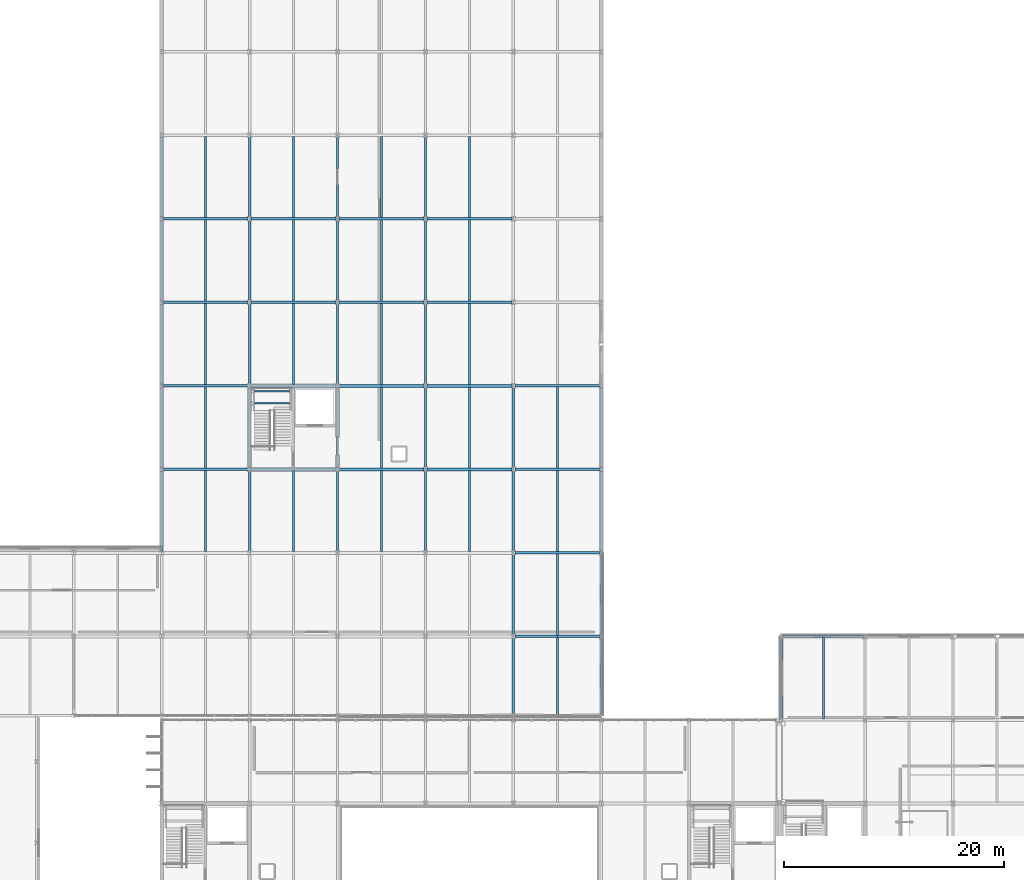
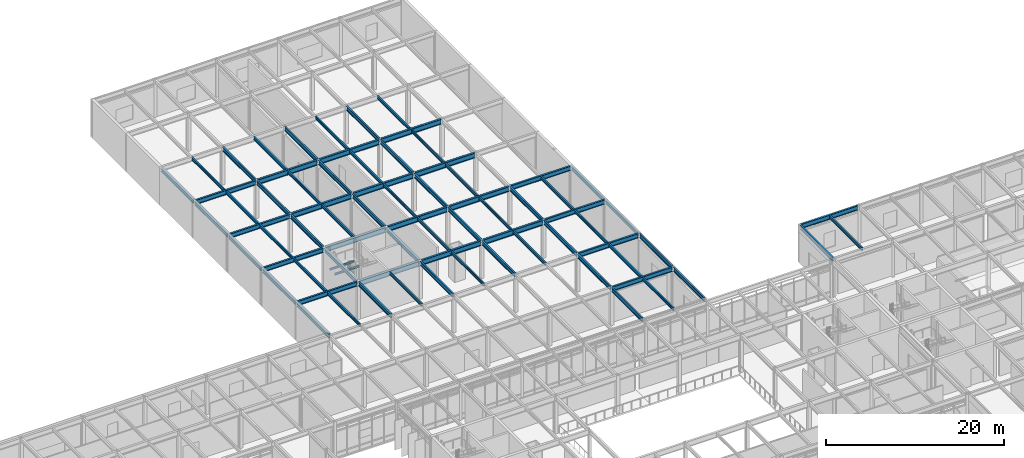
# One storey, part 49 of 94: 76 beams.
"""IFC4 building model written with IfcOpenShell, lengths in metres."""

import ifcopenshell
import ifcopenshell.guid

model = None  # the IFC model being written
_history = None  # IfcOwnerHistory: only IFC2X3 demands one
_inside = {}  # id of a spatial element -> (the spatial element, [elements in it])
_under = {}  # id of a project, library or spatial element -> (it, [spatial elements below it])
_declared = {}  # id of a project -> (the project, [libraries it declares])
_typed = {}  # id of a type object -> (the type object, [elements of that type])
_made_of = {}  # id of a material, layer set ... -> (it, [elements and type objects made of it])


def new_model(schema):
    """Start an empty IFC model of exactly this schema.

    Asked for "IFC4X3", IfcOpenShell would pick the latest addendum, in which some entities
    have other attributes; the version numbers below select the first issue.
    IFC2X3 requires an IfcOwnerHistory on every rooted entity: one is made here for all.
    """
    global model, _history
    if schema == "IFC4X3":
        model = ifcopenshell.file(schema_version=(4, 3, 0, 0))
    else:
        model = ifcopenshell.file(schema=schema)
    _inside.clear()
    _under.clear()
    _declared.clear()
    _typed.clear()
    _made_of.clear()
    _history = None
    if model.schema == "IFC2X3":
        org = make("IfcOrganization", Name="unknown")
        user = make(
            "IfcPersonAndOrganization",
            ThePerson=make("IfcPerson", FamilyName="unknown"),
            TheOrganization=org,
        )
        app = make(
            "IfcApplication",
            ApplicationDeveloper=org,
            Version="unknown",
            ApplicationFullName="unknown",
            ApplicationIdentifier="unknown",
        )
        _history = make(
            "IfcOwnerHistory",
            OwningUser=user,
            OwningApplication=app,
            ChangeAction="ADDED",
            CreationDate=0,
        )
    return model


def make(cls, **values):
    """One entity of the class cls with the attributes given. An attribute that is None is left unset."""
    return model.create_entity(
        cls, **{name: value for name, value in values.items() if value is not None}
    )


def rooted(cls, **values):
    """An entity with a GlobalId (a new one), such as an element, a storey or a relation."""
    return make(cls, GlobalId=ifcopenshell.guid.new(), OwnerHistory=_history, **values)


def si_unit(unit_type, name, prefix=None):
    """IfcSIUnit, for example si_unit("LENGTHUNIT", "METRE", prefix="MILLI")."""
    return make("IfcSIUnit", UnitType=unit_type, Prefix=prefix, Name=name)


def assignment(units):
    """IfcUnitAssignment: the units of a project."""
    return None if units is None else make("IfcUnitAssignment", Units=units)


def point(xyz):
    """IfcCartesianPoint."""
    return None if xyz is None else make("IfcCartesianPoint", Coordinates=xyz)


def direction(xyz):
    """IfcDirection."""
    return None if xyz is None else make("IfcDirection", DirectionRatios=xyz)


def frame(location, z_axis=None, x_axis=None):
    """IfcAxis2Placement3D, a coordinate frame: its origin and axes. An axis left out is left unset."""
    return make(
        "IfcAxis2Placement3D",
        Location=point(location),
        Axis=direction(z_axis),
        RefDirection=direction(x_axis),
    )


def frame_2d(location, x_axis=None):
    """IfcAxis2Placement2D, a coordinate frame in the plane: its origin and x axis."""
    return make(
        "IfcAxis2Placement2D", Location=point(location), RefDirection=direction(x_axis)
    )


def origin():
    """The frame at (0, 0, 0) with its axes left unset."""
    return frame((0.0, 0.0, 0.0))


def origin_2d():
    """The frame at (0, 0) in the plane with its x axis left unset."""
    return frame_2d((0.0, 0.0))


def place(relative_to, where):
    """IfcLocalPlacement: puts the frame where relative to a parent placement (None: the world)."""
    return make(
        "IfcLocalPlacement", PlacementRelTo=relative_to, RelativePlacement=where
    )


def context(
    kind, dimensions, precision=None, world=None, true_north=None, identifier=None
):
    """IfcGeometricRepresentationContext, for example the 3D "Model" context."""
    return make(
        "IfcGeometricRepresentationContext",
        ContextIdentifier=identifier,
        ContextType=kind,
        CoordinateSpaceDimension=dimensions,
        Precision=precision,
        WorldCoordinateSystem=world,
        TrueNorth=true_north,
    )


def subcontext(parent, identifier, kind, view, scale=None):
    """IfcGeometricRepresentationSubContext, for example "Body" below "Model"."""
    return make(
        "IfcGeometricRepresentationSubContext",
        ContextIdentifier=identifier,
        ContextType=kind,
        ParentContext=parent,
        TargetScale=scale,
        TargetView=view,
    )


def project(units=None, contexts=None):
    """IfcProject with its units and contexts."""
    return rooted(
        "IfcProject",
        Name="project",
        RepresentationContexts=contexts,
        UnitsInContext=assignment(units),
    )


def spatial(cls, under=None, at=None, **own):
    """A site, building, storey or space (cls), placed at a placement, below another one or the project."""
    s = rooted(cls, ObjectPlacement=at, **own)
    if under is not None:
        _under.setdefault(under.id(), (under, []))[1].append(s)
    return s


def profile(cls, at=None, kind="AREA", **sizes):
    """A parametric profile (cls). Its sizes go by their IFC names, for example OverallWidth=200.0."""
    return make(cls, ProfileType=kind, Position=at, **sizes)


def i_section(**sizes):
    """IfcIShapeProfileDef."""
    return profile("IfcIShapeProfileDef", **sizes)


def extrude(swept, where, along, depth):
    """IfcExtrudedAreaSolid: the profile swept, set in the frame where, extruded along a direction by depth."""
    return make(
        "IfcExtrudedAreaSolid",
        SweptArea=swept,
        Position=where,
        ExtrudedDirection=direction(along),
        Depth=depth,
    )


def shape(context_of_items, identifier, shape_type, items):
    """IfcShapeRepresentation: the items that make up one representation, for example the "Body"."""
    return make(
        "IfcShapeRepresentation",
        ContextOfItems=context_of_items,
        RepresentationIdentifier=identifier,
        RepresentationType=shape_type,
        Items=items,
    )


def material(Name=None, Category=None):
    """IfcMaterial."""
    return make("IfcMaterial", Name=Name, Category=Category)


def material_profile(
    of_material, cross_section, Name=None, Category=None, Priority=None
):
    """IfcMaterialProfile: a cross section and its material."""
    return make(
        "IfcMaterialProfile",
        Name=Name,
        Material=of_material,
        Profile=cross_section,
        Priority=Priority,
        Category=Category,
    )


def profile_set(profiles, Name=None, composite=None):
    """IfcMaterialProfileSet."""
    return make(
        "IfcMaterialProfileSet",
        Name=Name,
        MaterialProfiles=profiles,
        CompositeProfile=composite,
    )


def made_of(thing, what):
    """Note that an element or type object is made of a material, layer set ...; save() writes the relation."""
    if what is not None:
        _made_of.setdefault(what.id(), (what, []))[1].append(thing)
    return thing


def type_object(cls, material=None, **own):
    """A type object (cls), such as IfcWallType, which elements share."""
    return made_of(rooted(cls, **own), material)


def element(
    cls,
    number,
    at=None,
    inside=None,
    cuts=None,
    type_object=None,
    material=None,
    context=None,
    identifier="Body",
    shape_type=None,
    held_by="IfcProductDefinitionShape",
    body=None,
    shapes=None,
    **own,
):
    """One element of the class cls, such as IfcWall. Its Tag is "e" and its number.

    at: its placement. inside: the storey or other place that contains it. cuts: it is an
    opening in that element (IfcRelVoidsElement). A single representation is given by context,
    identifier, shape_type and body (its items); several are given by shapes. held_by: the class
    of the entity that holds the representations. save() writes the other relations.
    """
    e = rooted(cls, Tag="e%d" % number, ObjectPlacement=at, **own)
    if body is not None:
        shapes = [shape(context, identifier, shape_type, body)]
    if shapes is not None:
        e.Representation = make(held_by, Representations=shapes)
    if inside is not None:
        _inside.setdefault(inside.id(), (inside, []))[1].append(e)
    if cuts is not None:
        rooted(
            "IfcRelVoidsElement", RelatingBuildingElement=cuts, RelatedOpeningElement=e
        )
    if type_object is not None:
        _typed.setdefault(type_object.id(), (type_object, []))[1].append(e)
    return made_of(e, material)


def aggregate(whole, parts):
    """IfcRelAggregates: a whole, such as a stair, and the parts it consists of."""
    return rooted("IfcRelAggregates", RelatingObject=whole, RelatedObjects=parts)


def save(model, path):
    """Write the relations noted so far, then the file.

    IfcRelAggregates (storeys below a building ...), IfcRelContainedInSpatialStructure (elements
    in a storey), IfcRelDefinesByType, IfcRelAssociatesMaterial and IfcRelDeclares: one each for
    every whole, place, type object, material and project.
    """
    for whole, parts in _under.values():
        aggregate(whole, parts)
    for where, things in _inside.values():
        rooted(
            "IfcRelContainedInSpatialStructure",
            RelatedElements=things,
            RelatingStructure=where,
        )
    for kind, things in _typed.values():
        rooted("IfcRelDefinesByType", RelatedObjects=things, RelatingType=kind)
    for what, things in _made_of.values():
        rooted("IfcRelAssociatesMaterial", RelatedObjects=things, RelatingMaterial=what)
    for by, libraries in _declared.values():
        rooted("IfcRelDeclares", RelatingContext=by, RelatedDefinitions=libraries)
    model.write(path)


model = new_model("IFC4")

# Units and contexts
model_context = context("Model", 3, precision=1e-05, world=origin(), true_north=direction((0.0, 1.0)))
body_context = subcontext(model_context, "Body", "Model", "MODEL_VIEW")
ifc_project = project(units=[si_unit("LENGTHUNIT", "METRE"), si_unit("AREAUNIT", "SQUARE_METRE"), si_unit("VOLUMEUNIT", "CUBIC_METRE"), si_unit("PLANEANGLEUNIT", "RADIAN"), si_unit("MASSUNIT", "GRAM", prefix="KILO")], contexts=[model_context])

# Site, building, storey
site_placement = place(None, origin())
site = spatial("IfcSite", under=ifc_project, at=site_placement, CompositionType="ELEMENT")
building_placement = place(site_placement, origin())
building = spatial("IfcBuilding", under=site, at=building_placement, Name="Zulena Civic Courthouse", CompositionType="ELEMENT")
storey_placement = place(building_placement, frame((0.0, 0.0, 5.39990234375)))
storey = spatial("IfcBuildingStorey", under=building, at=storey_placement, Name="L01", CompositionType="ELEMENT", Elevation=5.39990234375)

# Beams
ifc_material = material(Name="Steel ASTM A992 Grade 50", Category="steel")
ifc_material_profile_1 = material_profile(ifc_material, i_section(OverallWidth=0.214111328125, OverallDepth=0.549072265625, WebThickness=0.0146484375, FlangeThickness=0.023681640625, FilletRadius=0.0126953125, at=origin_2d()), Name="W21X93")
ifc_profile_set_1 = profile_set([ifc_material_profile_1], Name="Steel ASTM A992 Grade 50")
beam_type_1 = type_object("IfcBeamType", Name="Girder_W21X93", PredefinedType="BEAM", material=ifc_profile_set_1)
beam_1_placement = place(storey_placement, frame((76.0, 60.945068359375, 4.91064453125), z_axis=(0.0, 1.0, 0.0), x_axis=(-1.0, 0.0, 0.0)))
element("IfcBeam", 1, at=beam_1_placement, inside=storey, type_object=beam_type_1, Name="beam:Y:V5:L01:76.0:60.8_68.4", PredefinedType="BEAM", context=body_context, shape_type="SweptSolid", body=[
    extrude(i_section(OverallWidth=0.214111328125, OverallDepth=0.549072265625, WebThickness=0.0146484375, FlangeThickness=0.023681640625, FilletRadius=0.0126953125, at=origin_2d()), origin(), (0.0, 0.0, 1.0), 7.309814453125),
])
for number, where, z_axis, x_axis, name in (
    (2, (76.0, 68.544921875, 4.91064453125), (0.0, 1.0, 0.0), (-1.0, 0.0, 0.0), "beam:Y:V5:L01:76.0:68.4_76.0"),
    (3, (76.0, 76.14501953125, 4.91064453125), (0.0, 1.0, 0.0), (-1.0, 0.0, 0.0), "beam:Y:V5:L01:76.0:76.0_83.6"),
):
    element("IfcBeam", number, at=place(storey_placement, frame(where, z_axis=z_axis, x_axis=x_axis)), inside=storey, type_object=beam_type_1, Name=name, PredefinedType="BEAM", context=body_context, shape_type="SweptSolid", body=[
        extrude(i_section(OverallWidth=0.214111328125, OverallDepth=0.549072265625, WebThickness=0.0146484375, FlangeThickness=0.023681640625, FilletRadius=0.0126953125, at=origin_2d()), origin(), (0.0, 0.0, 1.0), 7.31005859375),
    ])
beam_2_placement = place(storey_placement, frame((76.0, 83.7451171875, 4.91064453125), z_axis=(0.0, 1.0, 0.0), x_axis=(-1.0, 0.0, 0.0)))
element("IfcBeam", 4, at=beam_2_placement, inside=storey, type_object=beam_type_1, Name="beam:Y:V5:L01:76.0:83.6_91.2", PredefinedType="BEAM", context=body_context, shape_type="SweptSolid", body=[
    extrude(i_section(OverallWidth=0.214111328125, OverallDepth=0.549072265625, WebThickness=0.0146484375, FlangeThickness=0.023681640625, FilletRadius=0.0126953125, at=origin_2d()), origin(), (0.0, 0.0, 1.0), 7.309814453125),
])
beam_3_placement = place(storey_placement, frame((76.0, 91.344970703125, 4.91064453125), z_axis=(0.0, 1.0, 0.0), x_axis=(-1.0, 0.0, 0.0)))
element("IfcBeam", 5, at=beam_3_placement, inside=storey, type_object=beam_type_1, Name="beam:Y:V5:L01:76.0:91.2_98.8", PredefinedType="BEAM", context=body_context, shape_type="SweptSolid", body=[
    extrude(i_section(OverallWidth=0.214111328125, OverallDepth=0.549072265625, WebThickness=0.0146484375, FlangeThickness=0.023681640625, FilletRadius=0.0126953125, at=origin_2d()), origin(), (0.0, 0.0, 1.0), 7.31005859375),
])
beam_4_placement = place(storey_placement, frame((84.0, 60.945068359375, 4.91064453125), z_axis=(0.0, 1.0, 0.0), x_axis=(-1.0, 0.0, 0.0)))
element("IfcBeam", 6, at=beam_4_placement, inside=storey, type_object=beam_type_1, Name="beam:Y:V5:L01:84.0:60.8_68.4", PredefinedType="BEAM", context=body_context, shape_type="SweptSolid", body=[
    extrude(i_section(OverallWidth=0.214111328125, OverallDepth=0.549072265625, WebThickness=0.0146484375, FlangeThickness=0.023681640625, FilletRadius=0.0126953125, at=origin_2d()), origin(), (0.0, 0.0, 1.0), 7.309814453125),
])
for number, where, z_axis, x_axis, name in (
    (7, (84.0, 68.544921875, 4.91064453125), (0.0, 1.0, 0.0), (-1.0, 0.0, 0.0), "beam:Y:V5:L01:84.0:68.4_76.0"),
    (8, (84.0, 76.14501953125, 4.91064453125), (0.0, 1.0, 0.0), (-1.0, 0.0, 0.0), "beam:Y:V5:L01:84.0:76.0_83.6"),
):
    element("IfcBeam", number, at=place(storey_placement, frame(where, z_axis=z_axis, x_axis=x_axis)), inside=storey, type_object=beam_type_1, Name=name, PredefinedType="BEAM", context=body_context, shape_type="SweptSolid", body=[
        extrude(i_section(OverallWidth=0.214111328125, OverallDepth=0.549072265625, WebThickness=0.0146484375, FlangeThickness=0.023681640625, FilletRadius=0.0126953125, at=origin_2d()), origin(), (0.0, 0.0, 1.0), 7.31005859375),
    ])
beam_5_placement = place(storey_placement, frame((84.0, 83.7451171875, 4.91064453125), z_axis=(0.0, 1.0, 0.0), x_axis=(-1.0, 0.0, 0.0)))
element("IfcBeam", 9, at=beam_5_placement, inside=storey, type_object=beam_type_1, Name="beam:Y:V5:L01:84.0:83.6_91.2", PredefinedType="BEAM", context=body_context, shape_type="SweptSolid", body=[
    extrude(i_section(OverallWidth=0.214111328125, OverallDepth=0.549072265625, WebThickness=0.0146484375, FlangeThickness=0.023681640625, FilletRadius=0.0126953125, at=origin_2d()), origin(), (0.0, 0.0, 1.0), 7.309814453125),
])
beam_6_placement = place(storey_placement, frame((84.0, 91.344970703125, 4.91064453125), z_axis=(0.0, 1.0, 0.0), x_axis=(-1.0, 0.0, 0.0)))
element("IfcBeam", 10, at=beam_6_placement, inside=storey, type_object=beam_type_1, Name="beam:Y:V5:L01:84.0:91.2_98.8", PredefinedType="BEAM", context=body_context, shape_type="SweptSolid", body=[
    extrude(i_section(OverallWidth=0.214111328125, OverallDepth=0.549072265625, WebThickness=0.0146484375, FlangeThickness=0.023681640625, FilletRadius=0.0126953125, at=origin_2d()), origin(), (0.0, 0.0, 1.0), 7.31005859375),
])
beam_7_placement = place(storey_placement, frame((92.0, 60.945068359375, 4.91064453125), z_axis=(0.0, 1.0, 0.0), x_axis=(-1.0, 0.0, 0.0)))
element("IfcBeam", 11, at=beam_7_placement, inside=storey, type_object=beam_type_1, Name="beam:Y:V5:L01:92.0:60.8_68.4", PredefinedType="BEAM", context=body_context, shape_type="SweptSolid", body=[
    extrude(i_section(OverallWidth=0.214111328125, OverallDepth=0.549072265625, WebThickness=0.0146484375, FlangeThickness=0.023681640625, FilletRadius=0.0126953125, at=origin_2d()), origin(), (0.0, 0.0, 1.0), 7.309814453125),
])
for number, where, z_axis, x_axis, name in (
    (12, (92.0, 68.544921875, 4.91064453125), (0.0, 1.0, 0.0), (-1.0, 0.0, 0.0), "beam:Y:V5:L01:92.0:68.4_76.0"),
    (13, (92.0, 76.14501953125, 4.91064453125), (0.0, 1.0, 0.0), (-1.0, 0.0, 0.0), "beam:Y:V5:L01:92.0:76.0_83.6"),
):
    element("IfcBeam", number, at=place(storey_placement, frame(where, z_axis=z_axis, x_axis=x_axis)), inside=storey, type_object=beam_type_1, Name=name, PredefinedType="BEAM", context=body_context, shape_type="SweptSolid", body=[
        extrude(i_section(OverallWidth=0.214111328125, OverallDepth=0.549072265625, WebThickness=0.0146484375, FlangeThickness=0.023681640625, FilletRadius=0.0126953125, at=origin_2d()), origin(), (0.0, 0.0, 1.0), 7.31005859375),
    ])
beam_8_placement = place(storey_placement, frame((92.0, 83.7451171875, 4.91064453125), z_axis=(0.0, 1.0, 0.0), x_axis=(-1.0, 0.0, 0.0)))
element("IfcBeam", 14, at=beam_8_placement, inside=storey, type_object=beam_type_1, Name="beam:Y:V5:L01:92.0:83.6_91.2", PredefinedType="BEAM", context=body_context, shape_type="SweptSolid", body=[
    extrude(i_section(OverallWidth=0.214111328125, OverallDepth=0.549072265625, WebThickness=0.0146484375, FlangeThickness=0.023681640625, FilletRadius=0.0126953125, at=origin_2d()), origin(), (0.0, 0.0, 1.0), 7.309814453125),
])
for number, where, z_axis, x_axis, name in (
    (15, (92.0, 91.344970703125, 4.91064453125), (0.0, 1.0, 0.0), (-1.0, 0.0, 0.0), "beam:Y:V5:L01:92.0:91.2_98.8"),
    (16, (100.0, 53.344970703125, 4.91064453125), (0.0, 1.0, 0.0), (-1.0, 0.0, 0.0), "beam:Y:V5:L01:100.0:53.2_60.8"),
):
    element("IfcBeam", number, at=place(storey_placement, frame(where, z_axis=z_axis, x_axis=x_axis)), inside=storey, type_object=beam_type_1, Name=name, PredefinedType="BEAM", context=body_context, shape_type="SweptSolid", body=[
        extrude(i_section(OverallWidth=0.214111328125, OverallDepth=0.549072265625, WebThickness=0.0146484375, FlangeThickness=0.023681640625, FilletRadius=0.0126953125, at=origin_2d()), origin(), (0.0, 0.0, 1.0), 7.31005859375),
    ])
beam_9_placement = place(storey_placement, frame((100.0, 60.945068359375, 4.91064453125), z_axis=(0.0, 1.0, 0.0), x_axis=(-1.0, 0.0, 0.0)))
element("IfcBeam", 17, at=beam_9_placement, inside=storey, type_object=beam_type_1, Name="beam:Y:V5:L01:100.0:60.8_68.4", PredefinedType="BEAM", context=body_context, shape_type="SweptSolid", body=[
    extrude(i_section(OverallWidth=0.214111328125, OverallDepth=0.549072265625, WebThickness=0.0146484375, FlangeThickness=0.023681640625, FilletRadius=0.0126953125, at=origin_2d()), origin(), (0.0, 0.0, 1.0), 7.309814453125),
])
beam_10_placement = place(storey_placement, frame((100.0, 68.544921875, 4.91064453125), z_axis=(0.0, 1.0, 0.0), x_axis=(-1.0, 0.0, 0.0)))
element("IfcBeam", 18, at=beam_10_placement, inside=storey, type_object=beam_type_1, Name="beam:Y:V5:L01:100.0:68.4_76.0", PredefinedType="BEAM", context=body_context, shape_type="SweptSolid", body=[
    extrude(i_section(OverallWidth=0.214111328125, OverallDepth=0.549072265625, WebThickness=0.0146484375, FlangeThickness=0.023681640625, FilletRadius=0.0126953125, at=origin_2d()), origin(), (0.0, 0.0, 1.0), 7.31005859375),
])
ifc_material_profile_2 = material_profile(ifc_material, i_section(OverallWidth=0.25390625, OverallDepth=0.701904296875, WebThickness=0.015380859375, FlangeThickness=0.02783203125, FilletRadius=0.0166015625, at=origin_2d()), Name="W27X129")
ifc_profile_set_2 = profile_set([ifc_material_profile_2], Name="Steel ASTM A992 Grade 50")
beam_type_2 = type_object("IfcBeamType", Name="Girder_W27X129", PredefinedType="BEAM", material=ifc_profile_set_2)
for number, where, z_axis, x_axis, name in (
    (19, (76.14501953125, 68.39990234375, 4.833984375), (1.0, 0.0, 0.0), (0.0, 1.0, 0.0), "beam:X:V5:L01:68.4:76.0_84.0"),
    (20, (84.14501953125, 68.39990234375, 4.833984375), (1.0, 0.0, 0.0), (0.0, 1.0, 0.0), "beam:X:V5:L01:68.4:84.0_92.0"),
    (21, (92.14501953125, 68.39990234375, 4.833984375), (1.0, 0.0, 0.0), (0.0, 1.0, 0.0), "beam:X:V5:L01:68.4:92.0_100.0"),
    (22, (76.14501953125, 76.0, 4.833984375), (1.0, 0.0, 0.0), (0.0, 1.0, 0.0), "beam:X:V5:L01:76.0:76.0_84.0"),
    (23, (84.14501953125, 76.0, 4.833984375), (1.0, 0.0, 0.0), (0.0, 1.0, 0.0), "beam:X:V5:L01:76.0:84.0_92.0"),
    (24, (92.14501953125, 76.0, 4.833984375), (1.0, 0.0, 0.0), (0.0, 1.0, 0.0), "beam:X:V5:L01:76.0:92.0_100.0"),
    (25, (76.14501953125, 83.60009765625, 4.833984375), (1.0, 0.0, 0.0), (0.0, 1.0, 0.0), "beam:X:V5:L01:83.6:76.0_84.0"),
    (26, (84.14501953125, 83.60009765625, 4.833984375), (1.0, 0.0, 0.0), (0.0, 1.0, 0.0), "beam:X:V5:L01:83.6:84.0_92.0"),
    (27, (92.14501953125, 83.60009765625, 4.833984375), (1.0, 0.0, 0.0), (0.0, 1.0, 0.0), "beam:X:V5:L01:83.6:92.0_100.0"),
    (28, (76.14501953125, 91.199951171875, 4.833984375), (1.0, 0.0, 0.0), (0.0, 1.0, 0.0), "beam:X:V5:L01:91.2:76.0_84.0"),
    (29, (84.14501953125, 91.199951171875, 4.833984375), (1.0, 0.0, 0.0), (0.0, 1.0, 0.0), "beam:X:V5:L01:91.2:84.0_92.0"),
    (30, (92.14501953125, 91.199951171875, 4.833984375), (1.0, 0.0, 0.0), (0.0, 1.0, 0.0), "beam:X:V5:L01:91.2:92.0_100.0"),
):
    element("IfcBeam", number, at=place(storey_placement, frame(where, z_axis=z_axis, x_axis=x_axis)), inside=storey, type_object=beam_type_2, Name=name, PredefinedType="BEAM", context=body_context, shape_type="SweptSolid", body=[
        extrude(i_section(OverallWidth=0.25390625, OverallDepth=0.701904296875, WebThickness=0.015380859375, FlangeThickness=0.02783203125, FilletRadius=0.0166015625, at=origin_2d()), origin(), (0.0, 0.0, 1.0), 7.7099609375),
    ])
ifc_material_profile_3 = material_profile(ifc_material, i_section(OverallWidth=0.14599609375, OverallDepth=0.258056640625, WebThickness=0.006103515625, FlangeThickness=0.009033203125, FilletRadius=0.007568359375, at=origin_2d()), Name="W10X22")
ifc_profile_set_3 = profile_set([ifc_material_profile_3], Name="Steel ASTM A992 Grade 50")
beam_type_3 = type_object("IfcBeamType", Name="Joist_W10X22", PredefinedType="JOIST", material=ifc_profile_set_3)
for number, where, z_axis, x_axis, name in (
    (31, (76.419921875, 74.39990234375, 2.291015625), (1.0, 0.0, 0.0), (0.0, 1.0, 0.0), "beam:lnd:K5B:L01:0"),
    (32, (76.419921875, 75.5, 2.291015625), (1.0, 0.0, 0.0), (0.0, 1.0, 0.0), "beam:lnd:K5B:L01:1"),
):
    element("IfcBeam", number, at=place(storey_placement, frame(where, z_axis=z_axis, x_axis=x_axis)), inside=storey, type_object=beam_type_3, Name=name, PredefinedType="JOIST", context=body_context, shape_type="SweptSolid", body=[
        extrude(i_section(OverallWidth=0.14599609375, OverallDepth=0.258056640625, WebThickness=0.006103515625, FlangeThickness=0.009033203125, FilletRadius=0.007568359375, at=origin_2d()), origin(), (0.0, 0.0, 1.0), 3.2001953125),
    ])
ifc_material_profile_4 = material_profile(ifc_material, i_section(OverallWidth=0.177978515625, OverallDepth=0.406005859375, WebThickness=0.0078125, FlangeThickness=0.0126953125, FilletRadius=0.01025390625, at=origin_2d()), Name="W16X40")
ifc_profile_set_4 = profile_set([ifc_material_profile_4], Name="Steel ASTM A992 Grade 50")
beam_type_4 = type_object("IfcBeamType", Name="Joist_W16X40", PredefinedType="JOIST", material=ifc_profile_set_4)
beam_11_placement = place(storey_placement, frame((72.0, 60.905029296875, 4.982177734375), z_axis=(0.0, 1.0, 0.0), x_axis=(-1.0, 0.0, 0.0)))
element("IfcBeam", 33, at=beam_11_placement, inside=storey, type_object=beam_type_4, Name="joist:V5:L01:72.00:60.8_68.4", PredefinedType="JOIST", context=body_context, shape_type="SweptSolid", body=[
    extrude(i_section(OverallWidth=0.177978515625, OverallDepth=0.406005859375, WebThickness=0.0078125, FlangeThickness=0.0126953125, FilletRadius=0.01025390625, at=origin_2d()), origin(), (0.0, 0.0, 1.0), 7.389892578125),
])
for number, where, z_axis, x_axis, name in (
    (34, (72.0, 68.5048828125, 4.982177734375), (0.0, 1.0, 0.0), (-1.0, 0.0, 0.0), "joist:V5:L01:72.00:68.4_76.0"),
    (35, (72.0, 76.10498046875, 4.982177734375), (0.0, 1.0, 0.0), (-1.0, 0.0, 0.0), "joist:V5:L01:72.00:76.0_83.6"),
):
    element("IfcBeam", number, at=place(storey_placement, frame(where, z_axis=z_axis, x_axis=x_axis)), inside=storey, type_object=beam_type_4, Name=name, PredefinedType="JOIST", context=body_context, shape_type="SweptSolid", body=[
        extrude(i_section(OverallWidth=0.177978515625, OverallDepth=0.406005859375, WebThickness=0.0078125, FlangeThickness=0.0126953125, FilletRadius=0.01025390625, at=origin_2d()), origin(), (0.0, 0.0, 1.0), 7.39013671875),
    ])
beam_12_placement = place(storey_placement, frame((72.0, 83.705078125, 4.982177734375), z_axis=(0.0, 1.0, 0.0), x_axis=(-1.0, 0.0, 0.0)))
element("IfcBeam", 36, at=beam_12_placement, inside=storey, type_object=beam_type_4, Name="joist:V5:L01:72.00:83.6_91.2", PredefinedType="JOIST", context=body_context, shape_type="SweptSolid", body=[
    extrude(i_section(OverallWidth=0.177978515625, OverallDepth=0.406005859375, WebThickness=0.0078125, FlangeThickness=0.0126953125, FilletRadius=0.01025390625, at=origin_2d()), origin(), (0.0, 0.0, 1.0), 7.389892578125),
])
beam_13_placement = place(storey_placement, frame((72.0, 91.304931640625, 4.982177734375), z_axis=(0.0, 1.0, 0.0), x_axis=(-1.0, 0.0, 0.0)))
element("IfcBeam", 37, at=beam_13_placement, inside=storey, type_object=beam_type_4, Name="joist:V5:L01:72.00:91.2_98.8", PredefinedType="JOIST", context=body_context, shape_type="SweptSolid", body=[
    extrude(i_section(OverallWidth=0.177978515625, OverallDepth=0.406005859375, WebThickness=0.0078125, FlangeThickness=0.0126953125, FilletRadius=0.01025390625, at=origin_2d()), origin(), (0.0, 0.0, 1.0), 7.39013671875),
])
beam_14_placement = place(storey_placement, frame((80.0, 60.905029296875, 4.982177734375), z_axis=(0.0, 1.0, 0.0), x_axis=(-1.0, 0.0, 0.0)))
element("IfcBeam", 38, at=beam_14_placement, inside=storey, type_object=beam_type_4, Name="joist:V5:L01:80.00:60.8_68.4", PredefinedType="JOIST", context=body_context, shape_type="SweptSolid", body=[
    extrude(i_section(OverallWidth=0.177978515625, OverallDepth=0.406005859375, WebThickness=0.0078125, FlangeThickness=0.0126953125, FilletRadius=0.01025390625, at=origin_2d()), origin(), (0.0, 0.0, 1.0), 7.389892578125),
])
beam_15_placement = place(storey_placement, frame((80.0, 76.10498046875, 4.982177734375), z_axis=(0.0, 1.0, 0.0), x_axis=(-1.0, 0.0, 0.0)))
element("IfcBeam", 39, at=beam_15_placement, inside=storey, type_object=beam_type_4, Name="joist:V5:L01:80.00:76.0_83.6", PredefinedType="JOIST", context=body_context, shape_type="SweptSolid", body=[
    extrude(i_section(OverallWidth=0.177978515625, OverallDepth=0.406005859375, WebThickness=0.0078125, FlangeThickness=0.0126953125, FilletRadius=0.01025390625, at=origin_2d()), origin(), (0.0, 0.0, 1.0), 7.39013671875),
])
beam_16_placement = place(storey_placement, frame((80.0, 83.705078125, 4.982177734375), z_axis=(0.0, 1.0, 0.0), x_axis=(-1.0, 0.0, 0.0)))
element("IfcBeam", 40, at=beam_16_placement, inside=storey, type_object=beam_type_4, Name="joist:V5:L01:80.00:83.6_91.2", PredefinedType="JOIST", context=body_context, shape_type="SweptSolid", body=[
    extrude(i_section(OverallWidth=0.177978515625, OverallDepth=0.406005859375, WebThickness=0.0078125, FlangeThickness=0.0126953125, FilletRadius=0.01025390625, at=origin_2d()), origin(), (0.0, 0.0, 1.0), 7.389892578125),
])
beam_17_placement = place(storey_placement, frame((80.0, 91.304931640625, 4.982177734375), z_axis=(0.0, 1.0, 0.0), x_axis=(-1.0, 0.0, 0.0)))
element("IfcBeam", 41, at=beam_17_placement, inside=storey, type_object=beam_type_4, Name="joist:V5:L01:80.00:91.2_98.8", PredefinedType="JOIST", context=body_context, shape_type="SweptSolid", body=[
    extrude(i_section(OverallWidth=0.177978515625, OverallDepth=0.406005859375, WebThickness=0.0078125, FlangeThickness=0.0126953125, FilletRadius=0.01025390625, at=origin_2d()), origin(), (0.0, 0.0, 1.0), 7.39013671875),
])
beam_18_placement = place(storey_placement, frame((88.0, 60.905029296875, 4.982177734375), z_axis=(0.0, 1.0, 0.0), x_axis=(-1.0, 0.0, 0.0)))
element("IfcBeam", 42, at=beam_18_placement, inside=storey, type_object=beam_type_4, Name="joist:V5:L01:88.00:60.8_68.4", PredefinedType="JOIST", context=body_context, shape_type="SweptSolid", body=[
    extrude(i_section(OverallWidth=0.177978515625, OverallDepth=0.406005859375, WebThickness=0.0078125, FlangeThickness=0.0126953125, FilletRadius=0.01025390625, at=origin_2d()), origin(), (0.0, 0.0, 1.0), 7.389892578125),
])
for number, where, z_axis, x_axis, name in (
    (43, (88.0, 68.5048828125, 4.982177734375), (0.0, 1.0, 0.0), (-1.0, 0.0, 0.0), "joist:V5:L01:88.00:68.4_76.0"),
    (44, (88.0, 76.10498046875, 4.982177734375), (0.0, 1.0, 0.0), (-1.0, 0.0, 0.0), "joist:V5:L01:88.00:76.0_83.6"),
):
    element("IfcBeam", number, at=place(storey_placement, frame(where, z_axis=z_axis, x_axis=x_axis)), inside=storey, type_object=beam_type_4, Name=name, PredefinedType="JOIST", context=body_context, shape_type="SweptSolid", body=[
        extrude(i_section(OverallWidth=0.177978515625, OverallDepth=0.406005859375, WebThickness=0.0078125, FlangeThickness=0.0126953125, FilletRadius=0.01025390625, at=origin_2d()), origin(), (0.0, 0.0, 1.0), 7.39013671875),
    ])
beam_19_placement = place(storey_placement, frame((88.0, 83.705078125, 4.982177734375), z_axis=(0.0, 1.0, 0.0), x_axis=(-1.0, 0.0, 0.0)))
element("IfcBeam", 45, at=beam_19_placement, inside=storey, type_object=beam_type_4, Name="joist:V5:L01:88.00:83.6_91.2", PredefinedType="JOIST", context=body_context, shape_type="SweptSolid", body=[
    extrude(i_section(OverallWidth=0.177978515625, OverallDepth=0.406005859375, WebThickness=0.0078125, FlangeThickness=0.0126953125, FilletRadius=0.01025390625, at=origin_2d()), origin(), (0.0, 0.0, 1.0), 7.389892578125),
])
beam_20_placement = place(storey_placement, frame((88.0, 91.304931640625, 4.982177734375), z_axis=(0.0, 1.0, 0.0), x_axis=(-1.0, 0.0, 0.0)))
element("IfcBeam", 46, at=beam_20_placement, inside=storey, type_object=beam_type_4, Name="joist:V5:L01:88.00:91.2_98.8", PredefinedType="JOIST", context=body_context, shape_type="SweptSolid", body=[
    extrude(i_section(OverallWidth=0.177978515625, OverallDepth=0.406005859375, WebThickness=0.0078125, FlangeThickness=0.0126953125, FilletRadius=0.01025390625, at=origin_2d()), origin(), (0.0, 0.0, 1.0), 7.39013671875),
])
beam_21_placement = place(storey_placement, frame((96.0, 60.905029296875, 4.982177734375), z_axis=(0.0, 1.0, 0.0), x_axis=(-1.0, 0.0, 0.0)))
element("IfcBeam", 47, at=beam_21_placement, inside=storey, type_object=beam_type_4, Name="joist:V5:L01:96.00:60.8_68.4", PredefinedType="JOIST", context=body_context, shape_type="SweptSolid", body=[
    extrude(i_section(OverallWidth=0.177978515625, OverallDepth=0.406005859375, WebThickness=0.0078125, FlangeThickness=0.0126953125, FilletRadius=0.01025390625, at=origin_2d()), origin(), (0.0, 0.0, 1.0), 7.389892578125),
])
for number, where, z_axis, x_axis, name in (
    (48, (96.0, 68.5048828125, 4.982177734375), (0.0, 1.0, 0.0), (-1.0, 0.0, 0.0), "joist:V5:L01:96.00:68.4_76.0"),
    (49, (96.0, 76.10498046875, 4.982177734375), (0.0, 1.0, 0.0), (-1.0, 0.0, 0.0), "joist:V5:L01:96.00:76.0_83.6"),
):
    element("IfcBeam", number, at=place(storey_placement, frame(where, z_axis=z_axis, x_axis=x_axis)), inside=storey, type_object=beam_type_4, Name=name, PredefinedType="JOIST", context=body_context, shape_type="SweptSolid", body=[
        extrude(i_section(OverallWidth=0.177978515625, OverallDepth=0.406005859375, WebThickness=0.0078125, FlangeThickness=0.0126953125, FilletRadius=0.01025390625, at=origin_2d()), origin(), (0.0, 0.0, 1.0), 7.39013671875),
    ])
beam_22_placement = place(storey_placement, frame((96.0, 83.705078125, 4.982177734375), z_axis=(0.0, 1.0, 0.0), x_axis=(-1.0, 0.0, 0.0)))
element("IfcBeam", 50, at=beam_22_placement, inside=storey, type_object=beam_type_4, Name="joist:V5:L01:96.00:83.6_91.2", PredefinedType="JOIST", context=body_context, shape_type="SweptSolid", body=[
    extrude(i_section(OverallWidth=0.177978515625, OverallDepth=0.406005859375, WebThickness=0.0078125, FlangeThickness=0.0126953125, FilletRadius=0.01025390625, at=origin_2d()), origin(), (0.0, 0.0, 1.0), 7.389892578125),
])
beam_23_placement = place(storey_placement, frame((96.0, 91.304931640625, 4.982177734375), z_axis=(0.0, 1.0, 0.0), x_axis=(-1.0, 0.0, 0.0)))
element("IfcBeam", 51, at=beam_23_placement, inside=storey, type_object=beam_type_4, Name="joist:V5:L01:96.00:91.2_98.8", PredefinedType="JOIST", context=body_context, shape_type="SweptSolid", body=[
    extrude(i_section(OverallWidth=0.177978515625, OverallDepth=0.406005859375, WebThickness=0.0078125, FlangeThickness=0.0126953125, FilletRadius=0.01025390625, at=origin_2d()), origin(), (0.0, 0.0, 1.0), 7.39013671875),
])
beam_24_placement = place(storey_placement, frame((104.0, 46.10498046875, 4.982177734375), z_axis=(0.0, 1.0, 0.0), x_axis=(-1.0, 0.0, 0.0)))
element("IfcBeam", 52, at=beam_24_placement, inside=storey, type_object=beam_type_4, Name="joist:V5:L01:104.00:46.0_53.2", PredefinedType="JOIST", context=body_context, shape_type="SweptSolid", body=[
    extrude(i_section(OverallWidth=0.177978515625, OverallDepth=0.406005859375, WebThickness=0.0078125, FlangeThickness=0.0126953125, FilletRadius=0.01025390625, at=origin_2d()), origin(), (0.0, 0.0, 1.0), 6.989990234375),
])
beam_25_placement = place(storey_placement, frame((104.0, 53.304931640625, 4.982177734375), z_axis=(0.0, 1.0, 0.0), x_axis=(-1.0, 0.0, 0.0)))
element("IfcBeam", 53, at=beam_25_placement, inside=storey, type_object=beam_type_4, Name="joist:V5:L01:104.00:53.2_60.8", PredefinedType="JOIST", context=body_context, shape_type="SweptSolid", body=[
    extrude(i_section(OverallWidth=0.177978515625, OverallDepth=0.406005859375, WebThickness=0.0078125, FlangeThickness=0.0126953125, FilletRadius=0.01025390625, at=origin_2d()), origin(), (0.0, 0.0, 1.0), 7.39013671875),
])
beam_26_placement = place(storey_placement, frame((104.0, 60.905029296875, 4.982177734375), z_axis=(0.0, 1.0, 0.0), x_axis=(-1.0, 0.0, 0.0)))
element("IfcBeam", 54, at=beam_26_placement, inside=storey, type_object=beam_type_4, Name="joist:V5:L01:104.00:60.8_68.4", PredefinedType="JOIST", context=body_context, shape_type="SweptSolid", body=[
    extrude(i_section(OverallWidth=0.177978515625, OverallDepth=0.406005859375, WebThickness=0.0078125, FlangeThickness=0.0126953125, FilletRadius=0.01025390625, at=origin_2d()), origin(), (0.0, 0.0, 1.0), 7.389892578125),
])
beam_27_placement = place(storey_placement, frame((104.0, 68.5048828125, 4.982177734375), z_axis=(0.0, 1.0, 0.0), x_axis=(-1.0, 0.0, 0.0)))
element("IfcBeam", 55, at=beam_27_placement, inside=storey, type_object=beam_type_4, Name="joist:V5:L01:104.00:68.4_76.0", PredefinedType="JOIST", context=body_context, shape_type="SweptSolid", body=[
    extrude(i_section(OverallWidth=0.177978515625, OverallDepth=0.406005859375, WebThickness=0.0078125, FlangeThickness=0.0126953125, FilletRadius=0.01025390625, at=origin_2d()), origin(), (0.0, 0.0, 1.0), 7.39013671875),
])
ifc_material_profile_5 = material_profile(ifc_material, i_section(OverallWidth=0.180908203125, OverallDepth=0.4169921875, WebThickness=0.010986328125, FlangeThickness=0.018310546875, FilletRadius=0.01025390625, at=origin_2d()), Name="W16X57")
ifc_profile_set_5 = profile_set([ifc_material_profile_5], Name="Steel ASTM A992 Grade 50")
beam_type_5 = type_object("IfcBeamType", Name="Joist_W16X57", PredefinedType="JOIST", material=ifc_profile_set_5)
beam_28_placement = place(storey_placement, frame((128.199951171875, 45.705078125, 4.9765625), z_axis=(0.0, 1.0, 0.0), x_axis=(-1.0, 0.0, 0.0)))
element("IfcBeam", 56, at=beam_28_placement, inside=storey, type_object=beam_type_5, Name="joist:V3:L01:128.20:45.6_53.2", PredefinedType="JOIST", context=body_context, shape_type="SweptSolid", body=[
    extrude(i_section(OverallWidth=0.180908203125, OverallDepth=0.4169921875, WebThickness=0.010986328125, FlangeThickness=0.018310546875, FilletRadius=0.01025390625, at=origin_2d()), origin(), (0.0, 0.0, 1.0), 7.389892578125),
])
ifc_material_profile_6 = material_profile(ifc_material, i_section(OverallWidth=0.2099609375, OverallDepth=0.537109375, WebThickness=0.010986328125, FlangeThickness=0.017333984375, FilletRadius=0.0126953125, at=origin_2d()), Name="W21X68")
ifc_profile_set_6 = profile_set([ifc_material_profile_6], Name="Steel ASTM A992 Grade 50")
beam_type_6 = type_object("IfcBeamType", Name="Spandrel_W21X68", PredefinedType="SPANDREL", material=ifc_profile_set_6)
for number, where, z_axis, x_axis, name in (
    (57, (124.39990234375, 45.7451171875, 4.91650390625), (0.0, 1.0, 0.0), (-1.0, 0.0, 0.0), "beam:Y:V3:L01:124.4:45.6_53.2"),
    (58, (68.0, 60.945068359375, 4.91650390625), (0.0, 1.0, 0.0), (-1.0, 0.0, 0.0), "beam:Y:V5:L01:68.0:60.8_68.4"),
):
    element("IfcBeam", number, at=place(storey_placement, frame(where, z_axis=z_axis, x_axis=x_axis)), inside=storey, type_object=beam_type_6, Name=name, PredefinedType="SPANDREL", context=body_context, shape_type="SweptSolid", body=[
        extrude(i_section(OverallWidth=0.2099609375, OverallDepth=0.537109375, WebThickness=0.010986328125, FlangeThickness=0.017333984375, FilletRadius=0.0126953125, at=origin_2d()), origin(), (0.0, 0.0, 1.0), 7.309814453125),
    ])
for number, where, z_axis, x_axis, name in (
    (59, (68.0, 68.544921875, 4.91650390625), (0.0, 1.0, 0.0), (-1.0, 0.0, 0.0), "beam:Y:V5:L01:68.0:68.4_76.0"),
    (60, (68.0, 76.14501953125, 4.91650390625), (0.0, 1.0, 0.0), (-1.0, 0.0, 0.0), "beam:Y:V5:L01:68.0:76.0_83.6"),
):
    element("IfcBeam", number, at=place(storey_placement, frame(where, z_axis=z_axis, x_axis=x_axis)), inside=storey, type_object=beam_type_6, Name=name, PredefinedType="SPANDREL", context=body_context, shape_type="SweptSolid", body=[
        extrude(i_section(OverallWidth=0.2099609375, OverallDepth=0.537109375, WebThickness=0.010986328125, FlangeThickness=0.017333984375, FilletRadius=0.0126953125, at=origin_2d()), origin(), (0.0, 0.0, 1.0), 7.31005859375),
    ])
beam_29_placement = place(storey_placement, frame((68.0, 83.7451171875, 4.91650390625), z_axis=(0.0, 1.0, 0.0), x_axis=(-1.0, 0.0, 0.0)))
element("IfcBeam", 61, at=beam_29_placement, inside=storey, type_object=beam_type_6, Name="beam:Y:V5:L01:68.0:83.6_91.2", PredefinedType="SPANDREL", context=body_context, shape_type="SweptSolid", body=[
    extrude(i_section(OverallWidth=0.2099609375, OverallDepth=0.537109375, WebThickness=0.010986328125, FlangeThickness=0.017333984375, FilletRadius=0.0126953125, at=origin_2d()), origin(), (0.0, 0.0, 1.0), 7.309814453125),
])
beam_30_placement = place(storey_placement, frame((68.0, 91.344970703125, 4.91650390625), z_axis=(0.0, 1.0, 0.0), x_axis=(-1.0, 0.0, 0.0)))
element("IfcBeam", 62, at=beam_30_placement, inside=storey, type_object=beam_type_6, Name="beam:Y:V5:L01:68.0:91.2_98.8", PredefinedType="SPANDREL", context=body_context, shape_type="SweptSolid", body=[
    extrude(i_section(OverallWidth=0.2099609375, OverallDepth=0.537109375, WebThickness=0.010986328125, FlangeThickness=0.017333984375, FilletRadius=0.0126953125, at=origin_2d()), origin(), (0.0, 0.0, 1.0), 7.31005859375),
])
for number, where, z_axis, x_axis, name in (
    (63, (100.0, 46.14501953125, 4.91650390625), (0.0, 1.0, 0.0), (-1.0, 0.0, 0.0), "beam:Y:V5:L01:100.0:46.0_53.2"),
    (64, (108.0, 46.14501953125, 4.91650390625), (0.0, 1.0, 0.0), (-1.0, 0.0, 0.0), "beam:Y:V5:L01:108.0:46.0_53.2"),
):
    element("IfcBeam", number, at=place(storey_placement, frame(where, z_axis=z_axis, x_axis=x_axis)), inside=storey, type_object=beam_type_6, Name=name, PredefinedType="SPANDREL", context=body_context, shape_type="SweptSolid", body=[
        extrude(i_section(OverallWidth=0.2099609375, OverallDepth=0.537109375, WebThickness=0.010986328125, FlangeThickness=0.017333984375, FilletRadius=0.0126953125, at=origin_2d()), origin(), (0.0, 0.0, 1.0), 6.909912109375),
    ])
beam_31_placement = place(storey_placement, frame((108.0, 53.344970703125, 4.91650390625), z_axis=(0.0, 1.0, 0.0), x_axis=(-1.0, 0.0, 0.0)))
element("IfcBeam", 65, at=beam_31_placement, inside=storey, type_object=beam_type_6, Name="beam:Y:V5:L01:108.0:53.2_60.8", PredefinedType="SPANDREL", context=body_context, shape_type="SweptSolid", body=[
    extrude(i_section(OverallWidth=0.2099609375, OverallDepth=0.537109375, WebThickness=0.010986328125, FlangeThickness=0.017333984375, FilletRadius=0.0126953125, at=origin_2d()), origin(), (0.0, 0.0, 1.0), 7.31005859375),
])
beam_32_placement = place(storey_placement, frame((108.0, 60.945068359375, 4.91650390625), z_axis=(0.0, 1.0, 0.0), x_axis=(-1.0, 0.0, 0.0)))
element("IfcBeam", 66, at=beam_32_placement, inside=storey, type_object=beam_type_6, Name="beam:Y:V5:L01:108.0:60.8_68.4", PredefinedType="SPANDREL", context=body_context, shape_type="SweptSolid", body=[
    extrude(i_section(OverallWidth=0.2099609375, OverallDepth=0.537109375, WebThickness=0.010986328125, FlangeThickness=0.017333984375, FilletRadius=0.0126953125, at=origin_2d()), origin(), (0.0, 0.0, 1.0), 7.309814453125),
])
beam_33_placement = place(storey_placement, frame((108.0, 68.544921875, 4.91650390625), z_axis=(0.0, 1.0, 0.0), x_axis=(-1.0, 0.0, 0.0)))
element("IfcBeam", 67, at=beam_33_placement, inside=storey, type_object=beam_type_6, Name="beam:Y:V5:L01:108.0:68.4_76.0", PredefinedType="SPANDREL", context=body_context, shape_type="SweptSolid", body=[
    extrude(i_section(OverallWidth=0.2099609375, OverallDepth=0.537109375, WebThickness=0.010986328125, FlangeThickness=0.017333984375, FilletRadius=0.0126953125, at=origin_2d()), origin(), (0.0, 0.0, 1.0), 7.31005859375),
])
ifc_material_profile_7 = material_profile(ifc_material, i_section(OverallWidth=0.22998046875, OverallDepth=0.616943359375, WebThickness=0.01318359375, FlangeThickness=0.022216796875, FilletRadius=0.0126953125, at=origin_2d()), Name="W24X94")
ifc_profile_set_7 = profile_set([ifc_material_profile_7], Name="Steel ASTM A992 Grade 50")
beam_type_7 = type_object("IfcBeamType", Name="Spandrel_W24X94", PredefinedType="SPANDREL", material=ifc_profile_set_7)
beam_34_placement = place(storey_placement, frame((124.544921875, 53.199951171875, 4.876708984375), z_axis=(1.0, 0.0, 0.0), x_axis=(0.0, 1.0, 0.0)))
element("IfcBeam", 68, at=beam_34_placement, inside=storey, type_object=beam_type_7, Name="beam:X:V3:L01:53.2:124.4_132.0", PredefinedType="SPANDREL", context=body_context, shape_type="SweptSolid", body=[
    extrude(i_section(OverallWidth=0.22998046875, OverallDepth=0.616943359375, WebThickness=0.01318359375, FlangeThickness=0.022216796875, FilletRadius=0.0126953125, at=origin_2d()), origin(), (0.0, 0.0, 1.0), 7.31005859375),
])
for number, where, z_axis, x_axis, name in (
    (69, (100.14501953125, 53.199951171875, 4.876708984375), (1.0, 0.0, 0.0), (0.0, 1.0, 0.0), "beam:X:V5:L01:53.2:100.0_108.0"),
    (70, (100.14501953125, 60.800048828125, 4.876708984375), (1.0, 0.0, 0.0), (0.0, 1.0, 0.0), "beam:X:V5:L01:60.8:100.0_108.0"),
    (71, (68.14501953125, 68.39990234375, 4.876708984375), (1.0, 0.0, 0.0), (0.0, 1.0, 0.0), "beam:X:V5:L01:68.4:68.0_76.0"),
    (72, (100.14501953125, 68.39990234375, 4.876708984375), (1.0, 0.0, 0.0), (0.0, 1.0, 0.0), "beam:X:V5:L01:68.4:100.0_108.0"),
    (73, (68.14501953125, 76.0, 4.876708984375), (1.0, 0.0, 0.0), (0.0, 1.0, 0.0), "beam:X:V5:L01:76.0:68.0_76.0"),
    (74, (100.14501953125, 76.0, 4.876708984375), (1.0, 0.0, 0.0), (0.0, 1.0, 0.0), "beam:X:V5:L01:76.0:100.0_108.0"),
    (75, (68.14501953125, 83.60009765625, 4.876708984375), (1.0, 0.0, 0.0), (0.0, 1.0, 0.0), "beam:X:V5:L01:83.6:68.0_76.0"),
    (76, (68.14501953125, 91.199951171875, 4.876708984375), (1.0, 0.0, 0.0), (0.0, 1.0, 0.0), "beam:X:V5:L01:91.2:68.0_76.0"),
):
    element("IfcBeam", number, at=place(storey_placement, frame(where, z_axis=z_axis, x_axis=x_axis)), inside=storey, type_object=beam_type_7, Name=name, PredefinedType="SPANDREL", context=body_context, shape_type="SweptSolid", body=[
        extrude(i_section(OverallWidth=0.22998046875, OverallDepth=0.616943359375, WebThickness=0.01318359375, FlangeThickness=0.022216796875, FilletRadius=0.0126953125, at=origin_2d()), origin(), (0.0, 0.0, 1.0), 7.7099609375),
    ])

save(model, "model.ifc")
